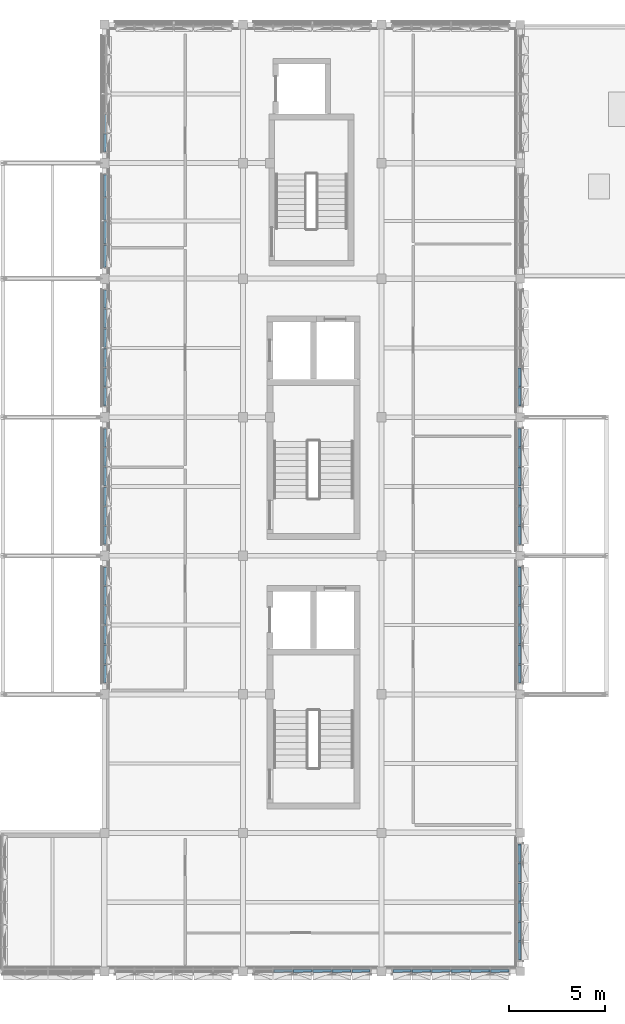
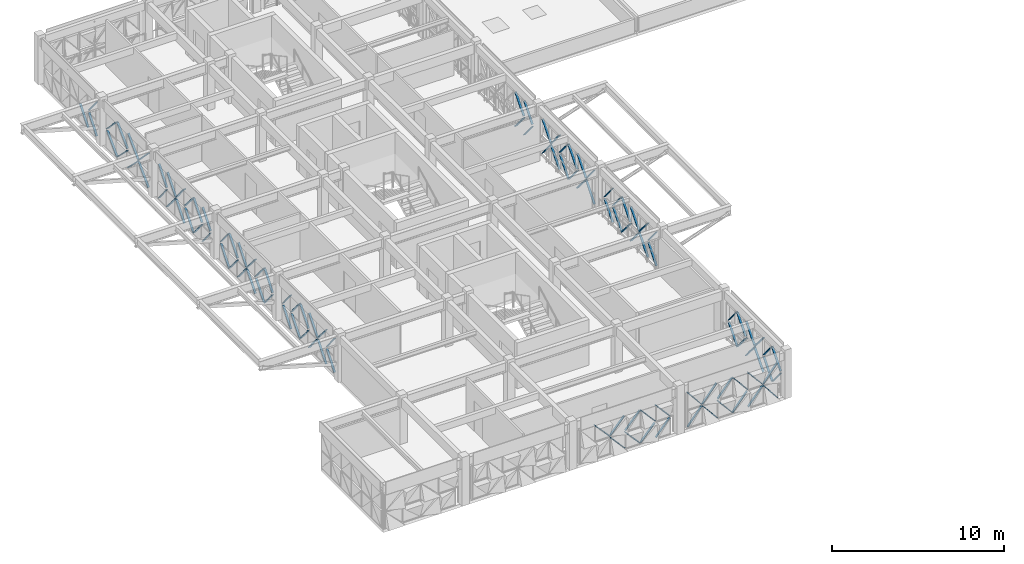
# One storey, part 23 of 30: 108 discrete accessories.
"""IFC4 building model written with IfcOpenShell, lengths in metres."""

from ifc_helpers import new_model, si_unit, direction, frame, origin, origin_2d, place, context, subcontext, project, spatial, rectangle, extrude, material, type_object, element, save


model = new_model("IFC4")

# Units and contexts
model_context = context("Model", 3, precision=1e-05, world=origin(), true_north=direction((0.0, 1.0)))
body_context = subcontext(model_context, "Body", "Model", "MODEL_VIEW")
ifc_project = project(units=[si_unit("LENGTHUNIT", "METRE"), si_unit("AREAUNIT", "SQUARE_METRE"), si_unit("VOLUMEUNIT", "CUBIC_METRE"), si_unit("PLANEANGLEUNIT", "RADIAN"), si_unit("MASSUNIT", "GRAM", prefix="KILO")], contexts=[model_context])

# Site, building, storey
site_placement = place(None, origin())
site = spatial("IfcSite", under=ifc_project, at=site_placement, CompositionType="ELEMENT")
building_placement = place(site_placement, origin())
building = spatial("IfcBuilding", under=site, at=building_placement, Name="Alvorim Cloister Faculty of Sciences", CompositionType="ELEMENT")
storey_placement = place(building_placement, frame((0.0, 0.0, 26.25)))
storey = spatial("IfcBuildingStorey", under=building, at=storey_placement, Name="L07", CompositionType="ELEMENT", Elevation=26.25)

# Discrete accessories
ifc_material = material(Name="Aluminium Alloy 6063-T6", Category="aluminium")
discrete_accessory_type = type_object("IfcDiscreteAccessoryType", Name="ACC-DIAG-BAR", PredefinedType="BRACKET", material=ifc_material)
for number, where, z_axis, x_axis, name in (
    (1, (22.205078125, 7.222412109375, 0.139892578125), (0.628934515139, 0.006825387803, 0.777428318078), (-0.010851663811, 0.999941118963, 0.0), "Diagonal Cassette Glazing Bracket ACC-02896"),
    (2, (22.205078125, 7.222412109375, 2.56005859375), (0.628934515139, 0.006825387803, -0.777428318078), (-0.010851663811, 0.999941118963, 0.0), "Diagonal Cassette Glazing Bracket ACC-02897"),
):
    element("IfcDiscreteAccessory", number, at=place(storey_placement, frame(where, z_axis=z_axis, x_axis=x_axis)), inside=storey, type_object=discrete_accessory_type, Name=name, PredefinedType="BRACKET", context=body_context, shape_type="SweptSolid", body=[
        extrude(rectangle(XDim=0.139892578125, YDim=0.044921875, at=origin_2d()), origin(), (0.0, 0.0, 1.0), 1.466552734375),
    ])
for number, where, z_axis, x_axis, name in (
    (3, (23.1923828125, 7.222412109375, 1.280029296875), (0.642137544371, 0.006729969151, -0.766559900872), (-0.010479997039, 0.999945083323, 0.0), "Diagonal Cassette Glazing Bracket ACC-02898"),
    (4, (23.1923828125, 7.222412109375, 1.419921875), (0.642137544371, 0.006729969151, 0.766559900872), (-0.010479997039, 0.999945083323, 0.0), "Diagonal Cassette Glazing Bracket ACC-02899"),
    (5, (24.21240234375, 7.222412109375, 1.280029296875), (0.642137544371, 0.006729969151, -0.766559900872), (-0.010479997039, 0.999945083323, 0.0), "Diagonal Cassette Glazing Bracket ACC-02900"),
    (6, (24.21240234375, 7.222412109375, 1.419921875), (0.642137544371, 0.006729969151, 0.766559900872), (-0.010479997039, 0.999945083323, 0.0), "Diagonal Cassette Glazing Bracket ACC-02901"),
    (7, (25.232421875, 7.222412109375, 0.139892578125), (0.642137544371, 0.006729969151, 0.766559900872), (-0.010479997039, 0.999945083323, 0.0), "Diagonal Cassette Glazing Bracket ACC-02902"),
    (8, (25.232421875, 7.222412109375, 2.56005859375), (0.642137544371, 0.006729969151, -0.766559900872), (-0.010479997039, 0.999945083323, 0.0), "Diagonal Cassette Glazing Bracket ACC-02903"),
    (9, (26.25244140625, 7.222412109375, 0.139892578125), (0.642137544371, 0.006729969151, 0.766559900872), (-0.010479997039, 0.999945083323, 0.0), "Diagonal Cassette Glazing Bracket ACC-02904"),
    (10, (26.25244140625, 7.222412109375, 2.56005859375), (0.642137544371, 0.006729969151, -0.766559900872), (-0.010479997039, 0.999945083323, 0.0), "Diagonal Cassette Glazing Bracket ACC-02905"),
):
    element("IfcDiscreteAccessory", number, at=place(storey_placement, frame(where, z_axis=z_axis, x_axis=x_axis)), inside=storey, type_object=discrete_accessory_type, Name=name, PredefinedType="BRACKET", context=body_context, shape_type="SweptSolid", body=[
        extrude(rectangle(XDim=0.139892578125, YDim=0.044921875, at=origin_2d()), origin(), (0.0, 0.0, 1.0), 1.4873046875),
    ])
for number, where, z_axis, x_axis, name in (
    (11, (27.2724609375, 7.222412109375, 1.280029296875), (0.629035122429, 0.006824673199, -0.777346922928), (-0.010848792579, 0.999941150118, 0.0), "Diagonal Cassette Glazing Bracket ACC-02906"),
    (12, (27.2724609375, 7.222412109375, 1.419921875), (0.629035122429, 0.006824673199, 0.777346922928), (-0.010848792579, 0.999941150118, 0.0), "Diagonal Cassette Glazing Bracket ACC-02907"),
):
    element("IfcDiscreteAccessory", number, at=place(storey_placement, frame(where, z_axis=z_axis, x_axis=x_axis)), inside=storey, type_object=discrete_accessory_type, Name=name, PredefinedType="BRACKET", context=body_context, shape_type="SweptSolid", body=[
        extrude(rectangle(XDim=0.139892578125, YDim=0.044921875, at=origin_2d()), origin(), (0.0, 0.0, 1.0), 1.466796875),
    ])
for number, where, z_axis, x_axis, name in (
    (13, (15.992431640625, 7.222412109375, 2.416015625), (0.666544474067, 0.00698576775, -0.745432534264), (-0.010479997039, 0.999945083323, 0.0), "Diagonal Cassette Glazing Bracket ACC-02912"),
    (14, (17.012451171875, 7.222412109375, 1.2080078125), (0.666544474067, 0.00698576775, -0.745432534264), (-0.010479997039, 0.999945083323, 0.0), "Diagonal Cassette Glazing Bracket ACC-02913"),
    (15, (17.012451171875, 7.222412109375, 1.347900390625), (0.666544474067, 0.00698576775, 0.745432534264), (-0.010479997039, 0.999945083323, 0.0), "Diagonal Cassette Glazing Bracket ACC-02914"),
    (16, (18.032470703125, 7.222412109375, 1.2080078125), (0.666544474067, 0.00698576775, -0.745432534264), (-0.010479997039, 0.999945083323, 0.0), "Diagonal Cassette Glazing Bracket ACC-02915"),
    (17, (18.032470703125, 7.222412109375, 1.347900390625), (0.666544474067, 0.00698576775, 0.745432534264), (-0.010479997039, 0.999945083323, 0.0), "Diagonal Cassette Glazing Bracket ACC-02916"),
    (18, (19.052490234375, 7.222412109375, 0.139892578125), (0.666544474067, 0.00698576775, 0.745432534264), (-0.010479997039, 0.999945083323, 0.0), "Diagonal Cassette Glazing Bracket ACC-02917"),
    (19, (19.052490234375, 7.222412109375, 2.416015625), (0.666544474067, 0.00698576775, -0.745432534264), (-0.010479997039, 0.999945083323, 0.0), "Diagonal Cassette Glazing Bracket ACC-02918"),
):
    element("IfcDiscreteAccessory", number, at=place(storey_placement, frame(where, z_axis=z_axis, x_axis=x_axis)), inside=storey, type_object=discrete_accessory_type, Name=name, PredefinedType="BRACKET", context=body_context, shape_type="SweptSolid", body=[
        extrude(rectangle(XDim=0.139892578125, YDim=0.044921875, at=origin_2d()), origin(), (0.0, 0.0, 1.0), 1.432861328125),
    ])
for number, where, z_axis, x_axis, name in (
    (20, (20.072509765625, 7.222412109375, 0.139892578125), (0.653661975886, 0.007091860548, 0.756753412146), (-0.010848792579, 0.999941150118, 0.0), "Diagonal Cassette Glazing Bracket ACC-02919"),
    (21, (20.072509765625, 7.222412109375, 2.416015625), (0.653661975886, 0.007091860548, -0.756753412146), (-0.010848792579, 0.999941150118, 0.0), "Diagonal Cassette Glazing Bracket ACC-02920"),
):
    element("IfcDiscreteAccessory", number, at=place(storey_placement, frame(where, z_axis=z_axis, x_axis=x_axis)), inside=storey, type_object=discrete_accessory_type, Name=name, PredefinedType="BRACKET", context=body_context, shape_type="SweptSolid", body=[
        extrude(rectangle(XDim=0.139892578125, YDim=0.044921875, at=origin_2d()), origin(), (0.0, 0.0, 1.0), 1.411376953125),
    ])
for number, where, z_axis, x_axis, name in (
    (22, (7.222412109375, 22.205078125, 0.139892578125), (0.006825387803, 0.628934515139, 0.777428318078), (-0.999941118963, 0.010851663811, 0.0), "Diagonal Cassette Glazing Bracket ACC-02957"),
    (23, (7.222412109375, 22.205078125, 2.56005859375), (0.006825387803, 0.628934515139, -0.777428318078), (-0.999941118963, 0.010851663811, 0.0), "Diagonal Cassette Glazing Bracket ACC-02958"),
):
    element("IfcDiscreteAccessory", number, at=place(storey_placement, frame(where, z_axis=z_axis, x_axis=x_axis)), inside=storey, type_object=discrete_accessory_type, Name=name, PredefinedType="BRACKET", context=body_context, shape_type="SweptSolid", body=[
        extrude(rectangle(XDim=0.139892578125, YDim=0.044921875, at=origin_2d()), origin(), (0.0, 0.0, 1.0), 1.466552734375),
    ])
for number, where, z_axis, x_axis, name in (
    (24, (7.222412109375, 23.1923828125, 0.139892578125), (0.006729969151, 0.642137544371, 0.766559900872), (-0.999945083323, 0.010479997039, 0.0), "Diagonal Cassette Glazing Bracket ACC-02959"),
    (25, (7.222412109375, 23.1923828125, 2.56005859375), (0.006729969151, 0.642137544371, -0.766559900872), (-0.999945083323, 0.010479997039, 0.0), "Diagonal Cassette Glazing Bracket ACC-02960"),
    (26, (7.222412109375, 24.21240234375, 1.280029296875), (0.006729969151, 0.642137544371, -0.766559900872), (-0.999945083323, 0.010479997039, 0.0), "Diagonal Cassette Glazing Bracket ACC-02961"),
    (27, (7.222412109375, 24.21240234375, 1.419921875), (0.006729969151, 0.642137544371, 0.766559900872), (-0.999945083323, 0.010479997039, 0.0), "Diagonal Cassette Glazing Bracket ACC-02962"),
    (28, (7.222412109375, 25.232421875, 1.280029296875), (0.006729969151, 0.642137544371, -0.766559900872), (-0.999945083323, 0.010479997039, 0.0), "Diagonal Cassette Glazing Bracket ACC-02963"),
    (29, (7.222412109375, 25.232421875, 1.419921875), (0.006729969151, 0.642137544371, 0.766559900872), (-0.999945083323, 0.010479997039, 0.0), "Diagonal Cassette Glazing Bracket ACC-02964"),
    (30, (7.222412109375, 26.25244140625, 0.139892578125), (0.006729969151, 0.642137544371, 0.766559900872), (-0.999945083323, 0.010479997039, 0.0), "Diagonal Cassette Glazing Bracket ACC-02965"),
    (31, (7.222412109375, 26.25244140625, 2.56005859375), (0.006729969151, 0.642137544371, -0.766559900872), (-0.999945083323, 0.010479997039, 0.0), "Diagonal Cassette Glazing Bracket ACC-02966"),
):
    element("IfcDiscreteAccessory", number, at=place(storey_placement, frame(where, z_axis=z_axis, x_axis=x_axis)), inside=storey, type_object=discrete_accessory_type, Name=name, PredefinedType="BRACKET", context=body_context, shape_type="SweptSolid", body=[
        extrude(rectangle(XDim=0.139892578125, YDim=0.044921875, at=origin_2d()), origin(), (0.0, 0.0, 1.0), 1.4873046875),
    ])
for number, where, z_axis, x_axis, name in (
    (32, (7.222412109375, 27.2724609375, 0.139892578125), (0.006824673199, 0.629035122429, 0.777346922928), (-0.999941150118, 0.010848792579, 0.0), "Diagonal Cassette Glazing Bracket ACC-02967"),
    (33, (7.222412109375, 27.2724609375, 2.56005859375), (0.006824673199, 0.629035122429, -0.777346922928), (-0.999941150118, 0.010848792579, 0.0), "Diagonal Cassette Glazing Bracket ACC-02968"),
):
    element("IfcDiscreteAccessory", number, at=place(storey_placement, frame(where, z_axis=z_axis, x_axis=x_axis)), inside=storey, type_object=discrete_accessory_type, Name=name, PredefinedType="BRACKET", context=body_context, shape_type="SweptSolid", body=[
        extrude(rectangle(XDim=0.139892578125, YDim=0.044921875, at=origin_2d()), origin(), (0.0, 0.0, 1.0), 1.466796875),
    ])
for number, where, z_axis, x_axis, name in (
    (34, (7.222412109375, 29.405029296875, 1.280029296875), (0.006825387803, 0.628934515139, -0.777428318078), (-0.999941118963, 0.010851663811, 0.0), "Diagonal Cassette Glazing Bracket ACC-02970"),
    (35, (7.222412109375, 29.405029296875, 1.419921875), (0.006825387803, 0.628934515139, 0.777428318078), (-0.999941118963, 0.010851663811, 0.0), "Diagonal Cassette Glazing Bracket ACC-02971"),
):
    element("IfcDiscreteAccessory", number, at=place(storey_placement, frame(where, z_axis=z_axis, x_axis=x_axis)), inside=storey, type_object=discrete_accessory_type, Name=name, PredefinedType="BRACKET", context=body_context, shape_type="SweptSolid", body=[
        extrude(rectangle(XDim=0.139892578125, YDim=0.044921875, at=origin_2d()), origin(), (0.0, 0.0, 1.0), 1.466552734375),
    ])
for number, where, z_axis, x_axis, name in (
    (36, (7.222412109375, 30.392578125, 0.139892578125), (0.006730678539, 0.642041067424, 0.766640701833), (-0.999945055239, 0.010482676365, 0.0), "Diagonal Cassette Glazing Bracket ACC-02972"),
    (37, (7.222412109375, 30.392578125, 2.56005859375), (0.006730678539, 0.642041067424, -0.766640701833), (-0.999945055239, 0.010482676365, 0.0), "Diagonal Cassette Glazing Bracket ACC-02973"),
    (38, (7.222412109375, 31.41259765625, 0.139892578125), (0.006730678539, 0.642041067424, 0.766640701833), (-0.999945055239, 0.010482676365, 0.0), "Diagonal Cassette Glazing Bracket ACC-02974"),
    (39, (7.222412109375, 31.41259765625, 2.56005859375), (0.006730678539, 0.642041067424, -0.766640701833), (-0.999945055239, 0.010482676365, 0.0), "Diagonal Cassette Glazing Bracket ACC-02975"),
    (40, (7.222412109375, 32.4326171875, 1.280029296875), (0.006730678539, 0.642041067424, -0.766640701833), (-0.999945055239, 0.010482676365, 0.0), "Diagonal Cassette Glazing Bracket ACC-02976"),
    (41, (7.222412109375, 32.4326171875, 1.419921875), (0.006730678539, 0.642041067424, 0.766640701833), (-0.999945055239, 0.010482676365, 0.0), "Diagonal Cassette Glazing Bracket ACC-02977"),
    (42, (7.222412109375, 33.452392578125, 1.280029296875), (0.006729969151, 0.642137544371, -0.766559900872), (-0.999945083323, 0.010479997039, 0.0), "Diagonal Cassette Glazing Bracket ACC-02978"),
    (43, (7.222412109375, 33.452392578125, 1.419921875), (0.006729969151, 0.642137544371, 0.766559900872), (-0.999945083323, 0.010479997039, 0.0), "Diagonal Cassette Glazing Bracket ACC-02979"),
):
    element("IfcDiscreteAccessory", number, at=place(storey_placement, frame(where, z_axis=z_axis, x_axis=x_axis)), inside=storey, type_object=discrete_accessory_type, Name=name, PredefinedType="BRACKET", context=body_context, shape_type="SweptSolid", body=[
        extrude(rectangle(XDim=0.139892578125, YDim=0.044921875, at=origin_2d()), origin(), (0.0, 0.0, 1.0), 1.4873046875),
    ])
for number, where, z_axis, x_axis, name in (
    (44, (7.222412109375, 34.472412109375, 0.139892578125), (0.006824673199, 0.629035122429, 0.777346922928), (-0.999941150118, 0.010848792579, 0.0), "Diagonal Cassette Glazing Bracket ACC-02980"),
    (45, (7.222412109375, 34.472412109375, 2.56005859375), (0.006824673199, 0.629035122429, -0.777346922928), (-0.999941150118, 0.010848792579, 0.0), "Diagonal Cassette Glazing Bracket ACC-02981"),
    (46, (7.222412109375, 36.60498046875, 1.280029296875), (0.006824673199, 0.629035122429, -0.777346922928), (-0.999941150118, 0.010848792579, 0.0), "Diagonal Cassette Glazing Bracket ACC-02983"),
    (47, (7.222412109375, 36.60498046875, 1.419921875), (0.006824673199, 0.629035122429, 0.777346922928), (-0.999941150118, 0.010848792579, 0.0), "Diagonal Cassette Glazing Bracket ACC-02984"),
):
    element("IfcDiscreteAccessory", number, at=place(storey_placement, frame(where, z_axis=z_axis, x_axis=x_axis)), inside=storey, type_object=discrete_accessory_type, Name=name, PredefinedType="BRACKET", context=body_context, shape_type="SweptSolid", body=[
        extrude(rectangle(XDim=0.139892578125, YDim=0.044921875, at=origin_2d()), origin(), (0.0, 0.0, 1.0), 1.466796875),
    ])
for number, where, z_axis, x_axis, name in (
    (48, (7.222412109375, 37.592529296875, 1.280029296875), (0.006729969151, 0.642137544371, -0.766559900872), (-0.999945083323, 0.010479997039, 0.0), "Diagonal Cassette Glazing Bracket ACC-02985"),
    (49, (7.222412109375, 37.592529296875, 1.419921875), (0.006729969151, 0.642137544371, 0.766559900872), (-0.999945083323, 0.010479997039, 0.0), "Diagonal Cassette Glazing Bracket ACC-02986"),
    (50, (7.222412109375, 38.612548828125, 0.139892578125), (0.006730678539, 0.642041067424, 0.766640701833), (-0.999945055239, 0.010482676365, 0.0), "Diagonal Cassette Glazing Bracket ACC-02987"),
    (51, (7.222412109375, 38.612548828125, 2.56005859375), (0.006730678539, 0.642041067424, -0.766640701833), (-0.999945055239, 0.010482676365, 0.0), "Diagonal Cassette Glazing Bracket ACC-02988"),
    (52, (7.222412109375, 39.632568359375, 0.139892578125), (0.006730678539, 0.642041067424, 0.766640701833), (-0.999945055239, 0.010482676365, 0.0), "Diagonal Cassette Glazing Bracket ACC-02989"),
    (53, (7.222412109375, 39.632568359375, 2.56005859375), (0.006730678539, 0.642041067424, -0.766640701833), (-0.999945055239, 0.010482676365, 0.0), "Diagonal Cassette Glazing Bracket ACC-02990"),
    (54, (7.222412109375, 40.652587890625, 1.280029296875), (0.006730678539, 0.642041067424, -0.766640701833), (-0.999945055239, 0.010482676365, 0.0), "Diagonal Cassette Glazing Bracket ACC-02991"),
    (55, (7.222412109375, 40.652587890625, 1.419921875), (0.006730678539, 0.642041067424, 0.766640701833), (-0.999945055239, 0.010482676365, 0.0), "Diagonal Cassette Glazing Bracket ACC-02992"),
):
    element("IfcDiscreteAccessory", number, at=place(storey_placement, frame(where, z_axis=z_axis, x_axis=x_axis)), inside=storey, type_object=discrete_accessory_type, Name=name, PredefinedType="BRACKET", context=body_context, shape_type="SweptSolid", body=[
        extrude(rectangle(XDim=0.139892578125, YDim=0.044921875, at=origin_2d()), origin(), (0.0, 0.0, 1.0), 1.4873046875),
    ])
for number, where, z_axis, x_axis, name in (
    (56, (7.222412109375, 41.672607421875, 1.280029296875), (0.006825387803, 0.628934515139, -0.777428318078), (-0.999941118963, 0.010851663811, 0.0), "Diagonal Cassette Glazing Bracket ACC-02993"),
    (57, (7.222412109375, 41.672607421875, 1.419921875), (0.006825387803, 0.628934515139, 0.777428318078), (-0.999941118963, 0.010851663811, 0.0), "Diagonal Cassette Glazing Bracket ACC-02994"),
):
    element("IfcDiscreteAccessory", number, at=place(storey_placement, frame(where, z_axis=z_axis, x_axis=x_axis)), inside=storey, type_object=discrete_accessory_type, Name=name, PredefinedType="BRACKET", context=body_context, shape_type="SweptSolid", body=[
        extrude(rectangle(XDim=0.139892578125, YDim=0.044921875, at=origin_2d()), origin(), (0.0, 0.0, 1.0), 1.466552734375),
    ])
for number, where, z_axis, x_axis, name in (
    (58, (7.222412109375, 43.804931640625, 0.139892578125), (0.006228521844, 0.704734459375, 0.709443829549), (-0.999960946179, 0.0088377665, 0.0), "Diagonal Cassette Glazing Bracket ACC-02996"),
    (59, (7.222412109375, 43.804931640625, 2.56005859375), (0.006228521844, 0.704734459375, -0.709443829549), (-0.999960946179, 0.0088377665, 0.0), "Diagonal Cassette Glazing Bracket ACC-02997"),
):
    element("IfcDiscreteAccessory", number, at=place(storey_placement, frame(where, z_axis=z_axis, x_axis=x_axis)), inside=storey, type_object=discrete_accessory_type, Name=name, PredefinedType="BRACKET", context=body_context, shape_type="SweptSolid", body=[
        extrude(rectangle(XDim=0.139892578125, YDim=0.044921875, at=origin_2d()), origin(), (0.0, 0.0, 1.0), 1.607177734375),
    ])
for number, where, z_axis, x_axis, name in (
    (60, (7.222412109375, 45.00244140625, 1.280029296875), (0.006140466, 0.714690335416, -0.699414054148), (-0.999963092655, 0.008591468315, 0.0), "Diagonal Cassette Glazing Bracket ACC-02998"),
    (61, (7.222412109375, 45.00244140625, 1.419921875), (0.006140466, 0.714690335416, 0.699414054148), (-0.999963092655, 0.008591468315, 0.0), "Diagonal Cassette Glazing Bracket ACC-02999"),
    (62, (7.222412109375, 46.232421875, 1.280029296875), (0.006140466, 0.714690335416, -0.699414054148), (-0.999963092655, 0.008591468315, 0.0), "Diagonal Cassette Glazing Bracket ACC-03000"),
    (63, (7.222412109375, 46.232421875, 1.419921875), (0.006140466, 0.714690335416, 0.699414054148), (-0.999963092655, 0.008591468315, 0.0), "Diagonal Cassette Glazing Bracket ACC-03001"),
):
    element("IfcDiscreteAccessory", number, at=place(storey_placement, frame(where, z_axis=z_axis, x_axis=x_axis)), inside=storey, type_object=discrete_accessory_type, Name=name, PredefinedType="BRACKET", context=body_context, shape_type="SweptSolid", body=[
        extrude(rectangle(XDim=0.139892578125, YDim=0.044921875, at=origin_2d()), origin(), (0.0, 0.0, 1.0), 1.630126953125),
    ])
for number, where, z_axis, x_axis, name in (
    (64, (7.222412109375, 47.46240234375, 0.139892578125), (0.006228521844, 0.704734459375, 0.709443829549), (-0.999960946179, 0.0088377665, 0.0), "Diagonal Cassette Glazing Bracket ACC-03002"),
    (65, (7.222412109375, 47.46240234375, 2.56005859375), (0.006228521844, 0.704734459375, -0.709443829549), (-0.999960946179, 0.0088377665, 0.0), "Diagonal Cassette Glazing Bracket ACC-03003"),
):
    element("IfcDiscreteAccessory", number, at=place(storey_placement, frame(where, z_axis=z_axis, x_axis=x_axis)), inside=storey, type_object=discrete_accessory_type, Name=name, PredefinedType="BRACKET", context=body_context, shape_type="SweptSolid", body=[
        extrude(rectangle(XDim=0.139892578125, YDim=0.044921875, at=origin_2d()), origin(), (0.0, 0.0, 1.0), 1.607177734375),
    ])
for number, where, z_axis, x_axis, name in (
    (66, (7.222412109375, 49.804931640625, 0.139892578125), (0.006824673199, 0.629035122429, 0.777346922928), (-0.999941150118, 0.010848792579, 0.0), "Diagonal Cassette Glazing Bracket ACC-03005"),
    (67, (7.222412109375, 49.804931640625, 2.56005859375), (0.006824673199, 0.629035122429, -0.777346922928), (-0.999941150118, 0.010848792579, 0.0), "Diagonal Cassette Glazing Bracket ACC-03006"),
):
    element("IfcDiscreteAccessory", number, at=place(storey_placement, frame(where, z_axis=z_axis, x_axis=x_axis)), inside=storey, type_object=discrete_accessory_type, Name=name, PredefinedType="BRACKET", context=body_context, shape_type="SweptSolid", body=[
        extrude(rectangle(XDim=0.139892578125, YDim=0.044921875, at=origin_2d()), origin(), (0.0, 0.0, 1.0), 1.466796875),
    ])
discrete_accessory_placement = place(storey_placement, frame((7.222412109375, 50.79248046875, 0.139892578125), z_axis=(0.006729969151, 0.642137544371, 0.766559900872), x_axis=(-0.999945083323, 0.010479997039, 0.0)))
element("IfcDiscreteAccessory", 68, at=discrete_accessory_placement, inside=storey, type_object=discrete_accessory_type, Name="Diagonal Cassette Glazing Bracket ACC-03007", PredefinedType="BRACKET", context=body_context, shape_type="SweptSolid", body=[
    extrude(rectangle(XDim=0.139892578125, YDim=0.044921875, at=origin_2d()), origin(), (0.0, 0.0, 1.0), 1.4873046875),
])
for number, where, z_axis, x_axis, name in (
    (69, (28.777587890625, 36.60498046875, 1.280029296875), (-0.006824673199, 0.629035122429, -0.777346922928), (-0.999941150118, -0.010848792579, 0.0), "Diagonal Cassette Glazing Bracket ACC-03079"),
    (70, (28.777587890625, 36.60498046875, 1.419921875), (-0.006824673199, 0.629035122429, 0.777346922928), (-0.999941150118, -0.010848792579, 0.0), "Diagonal Cassette Glazing Bracket ACC-03080"),
):
    element("IfcDiscreteAccessory", number, at=place(storey_placement, frame(where, z_axis=z_axis, x_axis=x_axis)), inside=storey, type_object=discrete_accessory_type, Name=name, PredefinedType="BRACKET", context=body_context, shape_type="SweptSolid", body=[
        extrude(rectangle(XDim=0.139892578125, YDim=0.044921875, at=origin_2d()), origin(), (0.0, 0.0, 1.0), 1.466796875),
    ])
for number, where, z_axis, x_axis, name in (
    (71, (28.777587890625, 37.592529296875, 1.280029296875), (-0.006729969151, 0.642137544371, -0.766559900872), (-0.999945083323, -0.010479997039, 0.0), "Diagonal Cassette Glazing Bracket ACC-03081"),
    (72, (28.777587890625, 37.592529296875, 1.419921875), (-0.006729969151, 0.642137544371, 0.766559900872), (-0.999945083323, -0.010479997039, 0.0), "Diagonal Cassette Glazing Bracket ACC-03082"),
):
    element("IfcDiscreteAccessory", number, at=place(storey_placement, frame(where, z_axis=z_axis, x_axis=x_axis)), inside=storey, type_object=discrete_accessory_type, Name=name, PredefinedType="BRACKET", context=body_context, shape_type="SweptSolid", body=[
        extrude(rectangle(XDim=0.139892578125, YDim=0.044921875, at=origin_2d()), origin(), (0.0, 0.0, 1.0), 1.4873046875),
    ])
for number, where, z_axis, x_axis, name in (
    (73, (28.777587890625, 29.405029296875, 0.139892578125), (-0.006825387803, 0.628934515139, 0.777428318078), (-0.999941118963, -0.010851663811, 0.0), "Diagonal Cassette Glazing Bracket ACC-03092"),
    (74, (28.777587890625, 29.405029296875, 2.56005859375), (-0.006825387803, 0.628934515139, -0.777428318078), (-0.999941118963, -0.010851663811, 0.0), "Diagonal Cassette Glazing Bracket ACC-03093"),
):
    element("IfcDiscreteAccessory", number, at=place(storey_placement, frame(where, z_axis=z_axis, x_axis=x_axis)), inside=storey, type_object=discrete_accessory_type, Name=name, PredefinedType="BRACKET", context=body_context, shape_type="SweptSolid", body=[
        extrude(rectangle(XDim=0.139892578125, YDim=0.044921875, at=origin_2d()), origin(), (0.0, 0.0, 1.0), 1.466552734375),
    ])
for number, where, z_axis, x_axis, name in (
    (75, (28.777587890625, 30.392578125, 1.280029296875), (-0.006730678539, 0.642041067424, -0.766640701833), (-0.999945055239, -0.010482676365, 0.0), "Diagonal Cassette Glazing Bracket ACC-03094"),
    (76, (28.777587890625, 30.392578125, 1.419921875), (-0.006730678539, 0.642041067424, 0.766640701833), (-0.999945055239, -0.010482676365, 0.0), "Diagonal Cassette Glazing Bracket ACC-03095"),
    (77, (28.777587890625, 31.41259765625, 1.280029296875), (-0.006730678539, 0.642041067424, -0.766640701833), (-0.999945055239, -0.010482676365, 0.0), "Diagonal Cassette Glazing Bracket ACC-03096"),
    (78, (28.777587890625, 31.41259765625, 1.419921875), (-0.006730678539, 0.642041067424, 0.766640701833), (-0.999945055239, -0.010482676365, 0.0), "Diagonal Cassette Glazing Bracket ACC-03097"),
    (79, (28.777587890625, 32.4326171875, 0.139892578125), (-0.006730678539, 0.642041067424, 0.766640701833), (-0.999945055239, -0.010482676365, 0.0), "Diagonal Cassette Glazing Bracket ACC-03098"),
    (80, (28.777587890625, 32.4326171875, 2.56005859375), (-0.006730678539, 0.642041067424, -0.766640701833), (-0.999945055239, -0.010482676365, 0.0), "Diagonal Cassette Glazing Bracket ACC-03099"),
    (81, (28.777587890625, 33.452392578125, 0.139892578125), (-0.006729969151, 0.642137544371, 0.766559900872), (-0.999945083323, -0.010479997039, 0.0), "Diagonal Cassette Glazing Bracket ACC-03100"),
    (82, (28.777587890625, 33.452392578125, 2.56005859375), (-0.006729969151, 0.642137544371, -0.766559900872), (-0.999945083323, -0.010479997039, 0.0), "Diagonal Cassette Glazing Bracket ACC-03101"),
):
    element("IfcDiscreteAccessory", number, at=place(storey_placement, frame(where, z_axis=z_axis, x_axis=x_axis)), inside=storey, type_object=discrete_accessory_type, Name=name, PredefinedType="BRACKET", context=body_context, shape_type="SweptSolid", body=[
        extrude(rectangle(XDim=0.139892578125, YDim=0.044921875, at=origin_2d()), origin(), (0.0, 0.0, 1.0), 1.4873046875),
    ])
for number, where, z_axis, x_axis, name in (
    (83, (28.777587890625, 34.472412109375, 1.280029296875), (-0.006824673199, 0.629035122429, -0.777346922928), (-0.999941150118, -0.010848792579, 0.0), "Diagonal Cassette Glazing Bracket ACC-03102"),
    (84, (28.777587890625, 34.472412109375, 1.419921875), (-0.006824673199, 0.629035122429, 0.777346922928), (-0.999941150118, -0.010848792579, 0.0), "Diagonal Cassette Glazing Bracket ACC-03103"),
):
    element("IfcDiscreteAccessory", number, at=place(storey_placement, frame(where, z_axis=z_axis, x_axis=x_axis)), inside=storey, type_object=discrete_accessory_type, Name=name, PredefinedType="BRACKET", context=body_context, shape_type="SweptSolid", body=[
        extrude(rectangle(XDim=0.139892578125, YDim=0.044921875, at=origin_2d()), origin(), (0.0, 0.0, 1.0), 1.466796875),
    ])
for number, where, z_axis, x_axis, name in (
    (85, (28.777587890625, 22.205078125, 0.139892578125), (-0.006825387803, 0.628934515139, 0.777428318078), (-0.999941118963, -0.010851663811, 0.0), "Diagonal Cassette Glazing Bracket ACC-03105"),
    (86, (28.777587890625, 22.205078125, 2.56005859375), (-0.006825387803, 0.628934515139, -0.777428318078), (-0.999941118963, -0.010851663811, 0.0), "Diagonal Cassette Glazing Bracket ACC-03106"),
):
    element("IfcDiscreteAccessory", number, at=place(storey_placement, frame(where, z_axis=z_axis, x_axis=x_axis)), inside=storey, type_object=discrete_accessory_type, Name=name, PredefinedType="BRACKET", context=body_context, shape_type="SweptSolid", body=[
        extrude(rectangle(XDim=0.139892578125, YDim=0.044921875, at=origin_2d()), origin(), (0.0, 0.0, 1.0), 1.466552734375),
    ])
for number, where, z_axis, x_axis, name in (
    (87, (28.777587890625, 23.1923828125, 0.139892578125), (-0.006729969151, 0.642137544371, 0.766559900872), (-0.999945083323, -0.010479997039, 0.0), "Diagonal Cassette Glazing Bracket ACC-03107"),
    (88, (28.777587890625, 23.1923828125, 2.56005859375), (-0.006729969151, 0.642137544371, -0.766559900872), (-0.999945083323, -0.010479997039, 0.0), "Diagonal Cassette Glazing Bracket ACC-03108"),
    (89, (28.777587890625, 24.21240234375, 1.280029296875), (-0.006729969151, 0.642137544371, -0.766559900872), (-0.999945083323, -0.010479997039, 0.0), "Diagonal Cassette Glazing Bracket ACC-03109"),
    (90, (28.777587890625, 24.21240234375, 1.419921875), (-0.006729969151, 0.642137544371, 0.766559900872), (-0.999945083323, -0.010479997039, 0.0), "Diagonal Cassette Glazing Bracket ACC-03110"),
    (91, (28.777587890625, 25.232421875, 1.280029296875), (-0.006729969151, 0.642137544371, -0.766559900872), (-0.999945083323, -0.010479997039, 0.0), "Diagonal Cassette Glazing Bracket ACC-03111"),
    (92, (28.777587890625, 25.232421875, 1.419921875), (-0.006729969151, 0.642137544371, 0.766559900872), (-0.999945083323, -0.010479997039, 0.0), "Diagonal Cassette Glazing Bracket ACC-03112"),
    (93, (28.777587890625, 26.25244140625, 0.139892578125), (-0.006729969151, 0.642137544371, 0.766559900872), (-0.999945083323, -0.010479997039, 0.0), "Diagonal Cassette Glazing Bracket ACC-03113"),
    (94, (28.777587890625, 26.25244140625, 2.56005859375), (-0.006729969151, 0.642137544371, -0.766559900872), (-0.999945083323, -0.010479997039, 0.0), "Diagonal Cassette Glazing Bracket ACC-03114"),
):
    element("IfcDiscreteAccessory", number, at=place(storey_placement, frame(where, z_axis=z_axis, x_axis=x_axis)), inside=storey, type_object=discrete_accessory_type, Name=name, PredefinedType="BRACKET", context=body_context, shape_type="SweptSolid", body=[
        extrude(rectangle(XDim=0.139892578125, YDim=0.044921875, at=origin_2d()), origin(), (0.0, 0.0, 1.0), 1.4873046875),
    ])
for number, where, z_axis, x_axis, name in (
    (95, (28.777587890625, 27.2724609375, 0.139892578125), (-0.006824673199, 0.629035122429, 0.777346922928), (-0.999941150118, -0.010848792579, 0.0), "Diagonal Cassette Glazing Bracket ACC-03115"),
    (96, (28.777587890625, 27.2724609375, 2.56005859375), (-0.006824673199, 0.629035122429, -0.777346922928), (-0.999941150118, -0.010848792579, 0.0), "Diagonal Cassette Glazing Bracket ACC-03116"),
    (97, (28.777587890625, 7.804931640625, 1.280029296875), (-0.006824673199, 0.629035122429, -0.777346922928), (-0.999941150118, -0.010848792579, 0.0), "Diagonal Cassette Glazing Bracket ACC-03118"),
    (98, (28.777587890625, 7.804931640625, 1.419921875), (-0.006824673199, 0.629035122429, 0.777346922928), (-0.999941150118, -0.010848792579, 0.0), "Diagonal Cassette Glazing Bracket ACC-03119"),
):
    element("IfcDiscreteAccessory", number, at=place(storey_placement, frame(where, z_axis=z_axis, x_axis=x_axis)), inside=storey, type_object=discrete_accessory_type, Name=name, PredefinedType="BRACKET", context=body_context, shape_type="SweptSolid", body=[
        extrude(rectangle(XDim=0.139892578125, YDim=0.044921875, at=origin_2d()), origin(), (0.0, 0.0, 1.0), 1.466796875),
    ])
for number, where, z_axis, x_axis, name in (
    (99, (28.777587890625, 8.79248046875, 0.139892578125), (-0.006729969151, 0.642137544371, 0.766559900872), (-0.999945083323, -0.010479997039, 0.0), "Diagonal Cassette Glazing Bracket ACC-03120"),
    (100, (28.777587890625, 8.79248046875, 2.56005859375), (-0.006729969151, 0.642137544371, -0.766559900872), (-0.999945083323, -0.010479997039, 0.0), "Diagonal Cassette Glazing Bracket ACC-03121"),
    (101, (28.777587890625, 9.8125, 0.139892578125), (-0.006729969151, 0.642137544371, 0.766559900872), (-0.999945083323, -0.010479997039, 0.0), "Diagonal Cassette Glazing Bracket ACC-03122"),
    (102, (28.777587890625, 9.8125, 2.56005859375), (-0.006729969151, 0.642137544371, -0.766559900872), (-0.999945083323, -0.010479997039, 0.0), "Diagonal Cassette Glazing Bracket ACC-03123"),
    (103, (28.777587890625, 10.83251953125, 1.280029296875), (-0.006729969151, 0.642137544371, -0.766559900872), (-0.999945083323, -0.010479997039, 0.0), "Diagonal Cassette Glazing Bracket ACC-03124"),
    (104, (28.777587890625, 10.83251953125, 1.419921875), (-0.006729969151, 0.642137544371, 0.766559900872), (-0.999945083323, -0.010479997039, 0.0), "Diagonal Cassette Glazing Bracket ACC-03125"),
    (105, (28.777587890625, 11.8525390625, 1.280029296875), (-0.006729969151, 0.642137544371, -0.766559900872), (-0.999945083323, -0.010479997039, 0.0), "Diagonal Cassette Glazing Bracket ACC-03126"),
    (106, (28.777587890625, 11.8525390625, 1.419921875), (-0.006729969151, 0.642137544371, 0.766559900872), (-0.999945083323, -0.010479997039, 0.0), "Diagonal Cassette Glazing Bracket ACC-03127"),
):
    element("IfcDiscreteAccessory", number, at=place(storey_placement, frame(where, z_axis=z_axis, x_axis=x_axis)), inside=storey, type_object=discrete_accessory_type, Name=name, PredefinedType="BRACKET", context=body_context, shape_type="SweptSolid", body=[
        extrude(rectangle(XDim=0.139892578125, YDim=0.044921875, at=origin_2d()), origin(), (0.0, 0.0, 1.0), 1.4873046875),
    ])
for number, where, z_axis, x_axis, name in (
    (107, (28.777587890625, 12.87255859375, 0.139892578125), (-0.006825387803, 0.628934515139, 0.777428318078), (-0.999941118963, -0.010851663811, 0.0), "Diagonal Cassette Glazing Bracket ACC-03128"),
    (108, (28.777587890625, 12.87255859375, 2.56005859375), (-0.006825387803, 0.628934515139, -0.777428318078), (-0.999941118963, -0.010851663811, 0.0), "Diagonal Cassette Glazing Bracket ACC-03129"),
):
    element("IfcDiscreteAccessory", number, at=place(storey_placement, frame(where, z_axis=z_axis, x_axis=x_axis)), inside=storey, type_object=discrete_accessory_type, Name=name, PredefinedType="BRACKET", context=body_context, shape_type="SweptSolid", body=[
        extrude(rectangle(XDim=0.139892578125, YDim=0.044921875, at=origin_2d()), origin(), (0.0, 0.0, 1.0), 1.466552734375),
    ])

save(model, "model.ifc")
